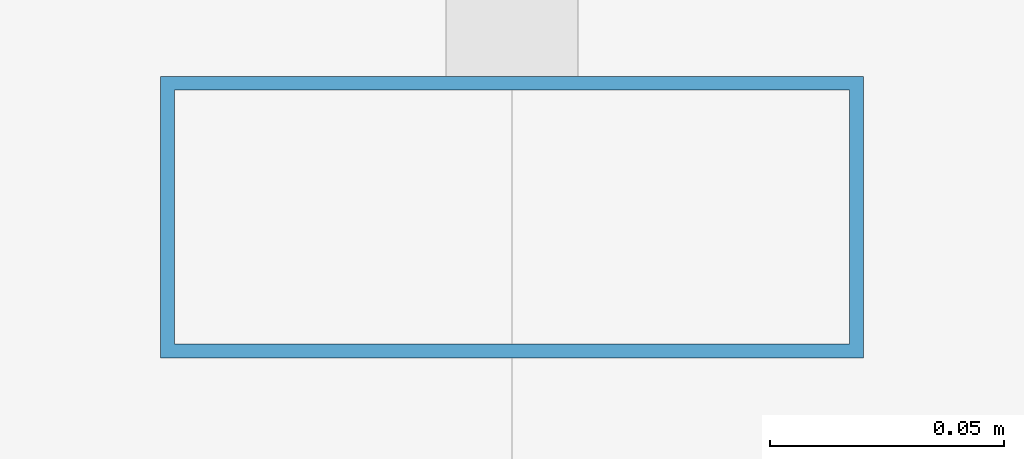
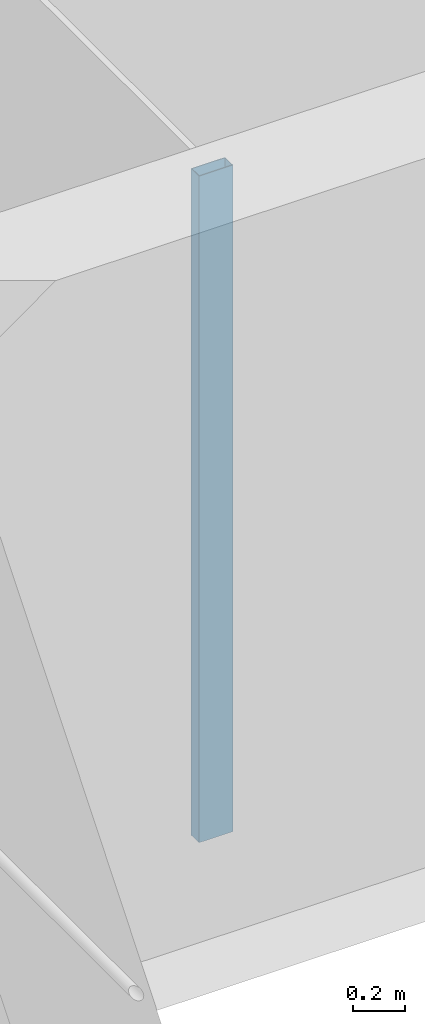
# One storey, part 11 of 30: 1 member, 1 element without a shape of its own.
"""IFC4 building model written with IfcOpenShell, lengths in metres."""

from ifc_helpers import new_model, si_unit, direction, frame, origin, origin_2d, place, context, subcontext, project, spatial, hollow_rectangle, extrude, material, material_profile, profile_set, type_object, element, aggregate, save


model = new_model("IFC4")

# Units and contexts
model_context = context("Model", 3, precision=1e-05, world=origin(), true_north=direction((0.0, 1.0)))
body_context = subcontext(model_context, "Body", "Model", "MODEL_VIEW")
ifc_project = project(units=[si_unit("LENGTHUNIT", "METRE"), si_unit("AREAUNIT", "SQUARE_METRE"), si_unit("VOLUMEUNIT", "CUBIC_METRE"), si_unit("PLANEANGLEUNIT", "RADIAN"), si_unit("MASSUNIT", "GRAM", prefix="KILO")], contexts=[model_context])

# Site, building, storey
site_placement = place(None, origin())
site = spatial("IfcSite", under=ifc_project, at=site_placement, CompositionType="ELEMENT")
building_placement = place(site_placement, origin())
building = spatial("IfcBuilding", under=site, at=building_placement, Name="Altepetl Exchange Towers", CompositionType="ELEMENT")
storey_placement = place(building_placement, frame((0.0, 0.0, 242.39990234375)))
storey = spatial("IfcBuildingStorey", under=building, at=storey_placement, Name="L62", CompositionType="ELEMENT", Elevation=242.39990234375)

# Curtain wall, member
ifc_material_1 = material(Name="Aluminium 6063-T6 glazing", Category="aluminium")
curtain_wall_type = type_object("IfcCurtainWallType", Name="Loggia glazing system", PredefinedType="NOTDEFINED", material=ifc_material_1)
curtain_wall_placement = place(storey_placement, origin())
curtain_wall = element("IfcCurtainWall", 1, at=curtain_wall_placement, inside=storey, type_object=curtain_wall_type, Name="CW1 run", PredefinedType="NOTDEFINED")
ifc_material_2 = material(Name="Aluminium 6063-T6", Category="aluminium")
ifc_material_profile = material_profile(ifc_material_2, hollow_rectangle(XDim=0.06005859375, YDim=0.14990234375, WallThickness=0.0029296875, at=origin_2d()), Name="Mullion 60x150 aluminium")
ifc_profile_set = profile_set([ifc_material_profile], Name="Aluminium 6063-T6")
member_type = type_object("IfcMemberType", Name="Mullion 60x150 aluminium", PredefinedType="MULLION", material=ifc_profile_set)
member_placement = place(storey_placement, frame((42.5, 58.60498046875, 0.0), z_axis=(0.0, 0.0, 1.0), x_axis=(0.0, -1.0, 0.0)))
member = element("IfcMember", 2, at=member_placement, type_object=member_type, Name="MU1 mullion", PredefinedType="MULLION", context=body_context, shape_type="SweptSolid", body=[
    extrude(hollow_rectangle(XDim=0.06005859375, YDim=0.14990234375, WallThickness=0.0029296875, at=origin_2d()), origin(), (0.0, 0.0, 1.0), 3.10009765625),
])
aggregate(curtain_wall, [member])

save(model, "model.ifc")
